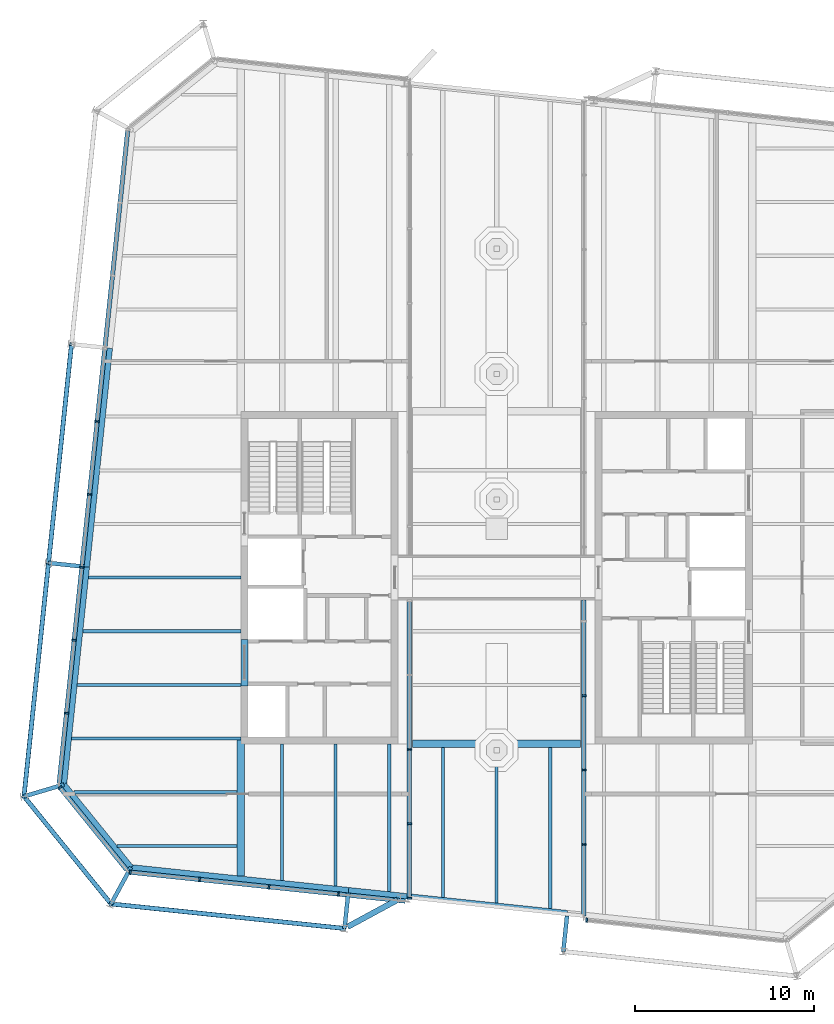
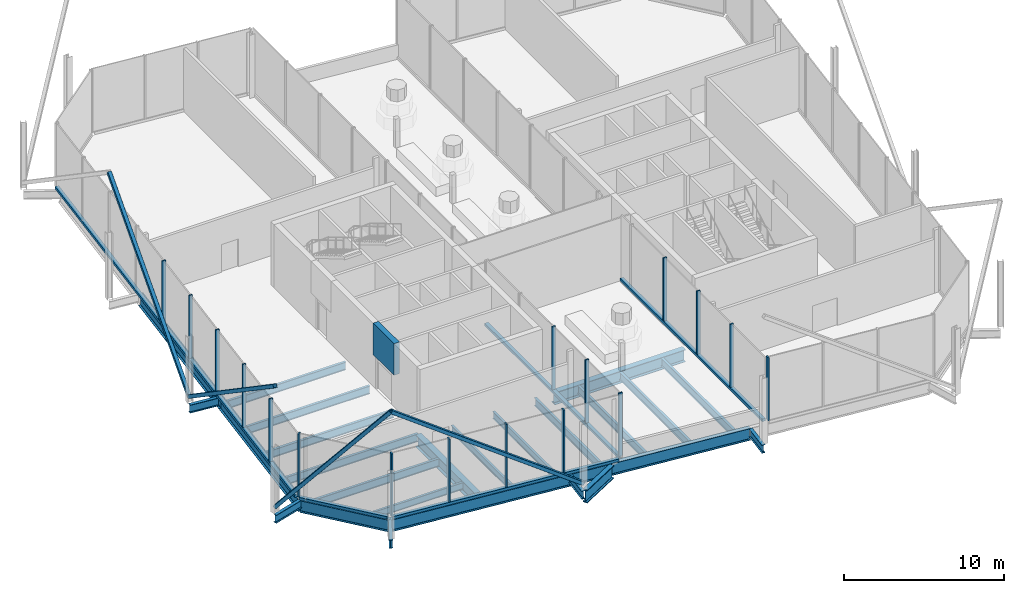
# One storey, part 3 of 14: 26 beams, 26 members, 6 elements without a shape of their own.
"""IFC4 building model written with IfcOpenShell, lengths in metres."""

from ifc_helpers import new_model, si_unit, direction, frame, origin, origin_2d, place, context, subcontext, project, spatial, rectangle, hollow_rectangle, i_section, extrude, material, layer, layer_set, material_profile, profile_set, type_object, element, aggregate, save


model = new_model("IFC4")

# Units and contexts
model_context = context("Model", 3, precision=1e-05, world=origin(), true_north=direction((0.0, 1.0)))
body_context = subcontext(model_context, "Body", "Model", "MODEL_VIEW")
ifc_project = project(units=[si_unit("LENGTHUNIT", "METRE"), si_unit("AREAUNIT", "SQUARE_METRE"), si_unit("VOLUMEUNIT", "CUBIC_METRE"), si_unit("PLANEANGLEUNIT", "RADIAN"), si_unit("MASSUNIT", "GRAM", prefix="KILO")], contexts=[model_context])

# Site, building, storey
site_placement = place(None, origin())
site = spatial("IfcSite", under=ifc_project, at=site_placement, CompositionType="ELEMENT")
building_placement = place(site_placement, origin())
building = spatial("IfcBuilding", under=site, at=building_placement, Name="Millrace Tower", CompositionType="ELEMENT")
storey_placement = place(building_placement, frame((0.0, 0.0, 342.10009765625)))
storey = spatial("IfcBuildingStorey", under=building, at=storey_placement, Name="L79", CompositionType="ELEMENT", Elevation=342.10009765625)

# Curtain wall, members
ifc_material_1 = material(Name="Aluminium and glass", Category="aluminium")
ifc_layer = layer(ifc_material_1, 0.25)
ifc_layer_set = layer_set([ifc_layer], Name="Aluminium and glass")
curtain_wall_type = type_object("IfcCurtainWallType", Name="CW-7 crown louvred enclosure", PredefinedType="NOTDEFINED", material=ifc_layer_set)
placement = place(storey_placement, origin())
curtain_wall_1 = element("IfcCurtainWall", 1, at=placement, inside=storey, type_object=curtain_wall_type, Name="Curtain wall CW-F01 L79", PredefinedType="NOTDEFINED")
ifc_material_2 = material(Name="Aluminium", Category="aluminium")
ifc_material_profile_1 = material_profile(ifc_material_2, rectangle(XDim=0.10009765625, YDim=0.25, at=origin_2d()))
ifc_profile_set_1 = profile_set([ifc_material_profile_1], Name="Aluminium")
member_type_1 = type_object("IfcMemberType", Name="CW-7 crown louvred enclosure mullion", PredefinedType="MULLION", material=ifc_profile_set_1)
member_1_placement = place(storey_placement, frame((-4.875, -17.9287109375, 0.199951171875), z_axis=(0.0, 0.0, 1.0), x_axis=(0.0, 1.0, 0.0)))
member_1 = element("IfcMember", 2, at=member_1_placement, type_object=member_type_1, Name="CW7 mullion CW-F01.1", PredefinedType="MULLION", context=body_context, shape_type="SweptSolid", body=[
    extrude(rectangle(XDim=0.10009765625, YDim=0.25, at=origin_2d()), origin(), (0.0, 0.0, 1.0), 4.800048828125),
])
member_2_placement = place(storey_placement, frame((-4.875, -13.76953125, 0.199951171875), z_axis=(0.0, 0.0, 1.0), x_axis=(0.0, 1.0, 0.0)))
member_2 = element("IfcMember", 3, at=member_2_placement, type_object=member_type_1, Name="CW7 mullion CW-F01.2", PredefinedType="MULLION", context=body_context, shape_type="SweptSolid", body=[
    extrude(rectangle(XDim=0.10009765625, YDim=0.25, at=origin_2d()), origin(), (0.0, 0.0, 1.0), 4.800048828125),
])
member_3_placement = place(storey_placement, frame((-4.875, -9.610595703125, 0.199951171875), z_axis=(0.0, 0.0, 1.0), x_axis=(0.0, 1.0, 0.0)))
member_3 = element("IfcMember", 4, at=member_3_placement, type_object=member_type_1, Name="CW7 mullion CW-F01.3", PredefinedType="MULLION", context=body_context, shape_type="SweptSolid", body=[
    extrude(rectangle(XDim=0.10009765625, YDim=0.25, at=origin_2d()), origin(), (0.0, 0.0, 1.0), 4.800048828125),
])

curtain_wall_2 = element("IfcCurtainWall", 5, at=placement, inside=storey, type_object=curtain_wall_type, Name="Curtain wall CW-F04 L79", PredefinedType="NOTDEFINED")
member_4_placement = place(storey_placement, frame((-22.340576171875, 8.730224609375, 0.199951171875), z_axis=(0.0, 0.0, 1.0), x_axis=(-0.104528455196, -0.994521896217, 0.0)))
member_4 = element("IfcMember", 6, at=member_4_placement, type_object=member_type_1, Name="CW7 mullion CW-F04.5", PredefinedType="MULLION", context=body_context, shape_type="SweptSolid", body=[
    extrude(rectangle(XDim=0.10009765625, YDim=0.25, at=origin_2d()), origin(), (0.0, 0.0, 1.0), 4.800048828125),
])
member_5_placement = place(storey_placement, frame((-22.769287109375, 4.652587890625, 0.199951171875), z_axis=(0.0, 0.0, 1.0), x_axis=(-0.104528455196, -0.994521896217, 0.0)))
member_5 = element("IfcMember", 7, at=member_5_placement, type_object=member_type_1, Name="CW7 mullion CW-F04.6", PredefinedType="MULLION", context=body_context, shape_type="SweptSolid", body=[
    extrude(rectangle(XDim=0.10009765625, YDim=0.25, at=origin_2d()), origin(), (0.0, 0.0, 1.0), 4.800048828125),
])
member_6_placement = place(storey_placement, frame((-23.19775390625, 0.574951171875, 0.199951171875), z_axis=(0.0, 0.0, 1.0), x_axis=(-0.104528455196, -0.994521896217, 0.0)))
member_6 = element("IfcMember", 8, at=member_6_placement, type_object=member_type_1, Name="CW7 mullion CW-F04.7", PredefinedType="MULLION", context=body_context, shape_type="SweptSolid", body=[
    extrude(rectangle(XDim=0.10009765625, YDim=0.25, at=origin_2d()), origin(), (0.0, 0.0, 1.0), 4.800048828125),
])
member_7_placement = place(storey_placement, frame((-23.626220703125, -3.50244140625, 0.199951171875), z_axis=(0.0, 0.0, 1.0), x_axis=(-0.104528455196, -0.994521896217, 0.0)))
member_7 = element("IfcMember", 9, at=member_7_placement, type_object=member_type_1, Name="CW7 mullion CW-F04.8", PredefinedType="MULLION", context=body_context, shape_type="SweptSolid", body=[
    extrude(rectangle(XDim=0.10009765625, YDim=0.25, at=origin_2d()), origin(), (0.0, 0.0, 1.0), 4.800048828125),
])
member_8_placement = place(storey_placement, frame((-24.054931640625, -7.580078125, 0.199951171875), z_axis=(0.0, 0.0, 1.0), x_axis=(-0.104528455196, -0.994521896217, 0.0)))
member_8 = element("IfcMember", 10, at=member_8_placement, type_object=member_type_1, Name="CW7 mullion CW-F04.9", PredefinedType="MULLION", context=body_context, shape_type="SweptSolid", body=[
    extrude(rectangle(XDim=0.10009765625, YDim=0.25, at=origin_2d()), origin(), (0.0, 0.0, 1.0), 4.800048828125),
])

# Curtain wall, member
curtain_wall_3 = element("IfcCurtainWall", 11, at=placement, inside=storey, type_object=curtain_wall_type, Name="Curtain wall CW-F05 L79", PredefinedType="NOTDEFINED")
member_9_placement = place(storey_placement, frame((-24.419677734375, -11.738525390625, 0.199951171875), z_axis=(0.0, 0.0, 1.0), x_axis=(0.629320278945, -0.777146052237, 0.0)))
member_9 = element("IfcMember", 12, at=member_9_placement, type_object=member_type_1, Name="CW7 mullion CW-F05.1", PredefinedType="MULLION", context=body_context, shape_type="SweptSolid", body=[
    extrude(rectangle(XDim=0.10009765625, YDim=0.25, at=origin_2d()), origin(), (0.0, 0.0, 1.0), 4.800048828125),
])

# Curtain wall, members
curtain_wall_4 = element("IfcCurtainWall", 13, at=placement, inside=storey, type_object=curtain_wall_type, Name="Curtain wall CW-F06 L79", PredefinedType="NOTDEFINED")
member_10_placement = place(storey_placement, frame((-20.490234375, -16.476318359375, 0.199951171875), z_axis=(0.0, 0.0, 1.0), x_axis=(0.994521898138, -0.104528436919, 0.0)))
member_10 = element("IfcMember", 14, at=member_10_placement, type_object=member_type_1, Name="CW7 mullion CW-F06.1", PredefinedType="MULLION", context=body_context, shape_type="SweptSolid", body=[
    extrude(rectangle(XDim=0.10009765625, YDim=0.25, at=origin_2d()), origin(), (0.0, 0.0, 1.0), 4.800048828125),
])
member_11_placement = place(storey_placement, frame((-16.608642578125, -16.88427734375, 0.199951171875), z_axis=(0.0, 0.0, 1.0), x_axis=(0.994521898138, -0.104528436919, 0.0)))
member_11 = element("IfcMember", 15, at=member_11_placement, type_object=member_type_1, Name="CW7 mullion CW-F06.2", PredefinedType="MULLION", context=body_context, shape_type="SweptSolid", body=[
    extrude(rectangle(XDim=0.10009765625, YDim=0.25, at=origin_2d()), origin(), (0.0, 0.0, 1.0), 4.800048828125),
])
member_12_placement = place(storey_placement, frame((-12.726806640625, -17.292236328125, 0.199951171875), z_axis=(0.0, 0.0, 1.0), x_axis=(0.994521898138, -0.104528436919, 0.0)))
member_12 = element("IfcMember", 16, at=member_12_placement, type_object=member_type_1, Name="CW7 mullion CW-F06.3", PredefinedType="MULLION", context=body_context, shape_type="SweptSolid", body=[
    extrude(rectangle(XDim=0.10009765625, YDim=0.25, at=origin_2d()), origin(), (0.0, 0.0, 1.0), 4.800048828125),
])
member_13_placement = place(storey_placement, frame((-8.844970703125, -17.700439453125, 0.199951171875), z_axis=(0.0, 0.0, 1.0), x_axis=(0.994521898138, -0.104528436919, 0.0)))
member_13 = element("IfcMember", 17, at=member_13_placement, type_object=member_type_1, Name="CW7 mullion CW-F06.4", PredefinedType="MULLION", context=body_context, shape_type="SweptSolid", body=[
    extrude(rectangle(XDim=0.10009765625, YDim=0.25, at=origin_2d()), origin(), (0.0, 0.0, 1.0), 4.800048828125),
])

curtain_wall_5 = element("IfcCurtainWall", 18, at=placement, inside=storey, type_object=curtain_wall_type, Name="Curtain wall CE-F01 L79", PredefinedType="NOTDEFINED")
member_14_placement = place(storey_placement, frame((4.875, -6.602294921875, 0.199951171875), z_axis=(0.0, 0.0, 1.0), x_axis=(0.0, -1.0, 0.0)))
member_14 = element("IfcMember", 19, at=member_14_placement, type_object=member_type_1, Name="CW7 mullion CE-F01.9", PredefinedType="MULLION", context=body_context, shape_type="SweptSolid", body=[
    extrude(rectangle(XDim=0.10009765625, YDim=0.25, at=origin_2d()), origin(), (0.0, 0.0, 1.0), 4.800048828125),
])
member_15_placement = place(storey_placement, frame((4.875, -10.761474609375, 0.199951171875), z_axis=(0.0, 0.0, 1.0), x_axis=(0.0, -1.0, 0.0)))
member_15 = element("IfcMember", 20, at=member_15_placement, type_object=member_type_1, Name="CW7 mullion CE-F01.10", PredefinedType="MULLION", context=body_context, shape_type="SweptSolid", body=[
    extrude(rectangle(XDim=0.10009765625, YDim=0.25, at=origin_2d()), origin(), (0.0, 0.0, 1.0), 4.800048828125),
])
member_16_placement = place(storey_placement, frame((4.875, -14.920654296875, 0.199951171875), z_axis=(0.0, 0.0, 1.0), x_axis=(0.0, -1.0, 0.0)))
member_16 = element("IfcMember", 21, at=member_16_placement, type_object=member_type_1, Name="CW7 mullion CE-F01.11", PredefinedType="MULLION", context=body_context, shape_type="SweptSolid", body=[
    extrude(rectangle(XDim=0.10009765625, YDim=0.25, at=origin_2d()), origin(), (0.0, 0.0, 1.0), 4.800048828125),
])

# Curtain wall, member
curtain_wall_6 = element("IfcCurtainWall", 22, at=placement, inside=storey, type_object=curtain_wall_type, Name="Curtain wall CE-F02 L79", PredefinedType="NOTDEFINED")
member_17_placement = place(storey_placement, frame((5.03662109375, -19.159423828125, 0.199951171875), z_axis=(0.0, 0.0, 1.0), x_axis=(0.994521900296, -0.104528416385, 0.0)))
member_17 = element("IfcMember", 23, at=member_17_placement, type_object=member_type_1, Name="CW7 mullion CE-F02.1", PredefinedType="MULLION", context=body_context, shape_type="SweptSolid", body=[
    extrude(rectangle(XDim=0.10009765625, YDim=0.25, at=origin_2d()), origin(), (0.0, 0.0, 1.0), 4.800048828125),
])
aggregate(curtain_wall_6, [member_17])

# Member
ifc_material_3 = material(Name="Aluminium", Category="aluminium")
ifc_material_profile_2 = material_profile(ifc_material_3, rectangle(XDim=0.25, YDim=0.199951171875, at=origin_2d()))
ifc_profile_set_2 = profile_set([ifc_material_profile_2], Name="Aluminium")
member_type_2 = type_object("IfcMemberType", Name="CW-7 crown louvred enclosure transom", PredefinedType="USERDEFINED", material=ifc_profile_set_2)
member_18_placement = place(storey_placement, frame((-20.631591796875, 24.990478515625, 0.099853515625), z_axis=(-0.104528607573, -0.994521880201, 0.0), x_axis=(0.994521880201, -0.104528607573, 0.0)))
member_18 = element("IfcMember", 24, at=member_18_placement, type_object=member_type_2, Name="CW7 transom CW-F04.1", ObjectType="TRANSOM", PredefinedType="USERDEFINED", context=body_context, shape_type="SweptSolid", body=[
    extrude(rectangle(XDim=0.25, YDim=0.199951171875, at=origin_2d()), origin(), (0.0, 0.0, 1.0), 36.69970703125),
])

aggregate(curtain_wall_2, [member_4, member_5, member_6, member_7, member_8, member_18])

member_19_placement = place(storey_placement, frame((-24.38818359375, -11.77734375, 0.099853515625), z_axis=(0.629341524136, -0.777128847746, 0.0), x_axis=(0.777128847746, 0.629341524136, 0.0)))
member_19 = element("IfcMember", 25, at=member_19_placement, type_object=member_type_2, Name="CW7 transom CW-F05.1", ObjectType="TRANSOM", PredefinedType="USERDEFINED", context=body_context, shape_type="SweptSolid", body=[
    extrude(rectangle(XDim=0.25, YDim=0.199951171875, at=origin_2d()), origin(), (0.0, 0.0, 1.0), 5.881103515625),
])

aggregate(curtain_wall_3, [member_9, member_19])

member_20_placement = place(storey_placement, frame((-20.440673828125, -16.481689453125, 0.099853515625), z_axis=(0.994523318532, -0.104514921886, 0.0), x_axis=(0.104514921886, 0.994523318532, 0.0)))
member_20 = element("IfcMember", 26, at=member_20_placement, type_object=member_type_2, Name="CW7 transom CW-F06.1", ObjectType="TRANSOM", PredefinedType="USERDEFINED", context=body_context, shape_type="SweptSolid", body=[
    extrude(rectangle(XDim=0.25, YDim=0.199951171875, at=origin_2d()), origin(), (0.0, 0.0, 1.0), 15.41259765625),
])

aggregate(curtain_wall_4, [member_10, member_11, member_12, member_13, member_20])

member_21_placement = place(storey_placement, frame((-4.875, -17.878662109375, 0.099853515625), z_axis=(0.0, 1.0, 0.0), x_axis=(-1.0, 0.0, 0.0)))
member_21 = element("IfcMember", 27, at=member_21_placement, type_object=member_type_2, Name="CW7 transom CW-F01.1", ObjectType="TRANSOM", PredefinedType="USERDEFINED", context=body_context, shape_type="SweptSolid", body=[
    extrude(rectangle(XDim=0.25, YDim=0.199951171875, at=origin_2d()), origin(), (0.0, 0.0, 1.0), 16.638671875),
])

aggregate(curtain_wall_1, [member_1, member_2, member_3, member_21])

member_22_placement = place(storey_placement, frame((4.875, -18.929931640625, 0.099853515625), z_axis=(0.0, 1.0, 0.0), x_axis=(-1.0, 0.0, 0.0)))
member_22 = element("IfcMember", 28, at=member_22_placement, type_object=member_type_2, Name="CW7 transom CE-F01.1", ObjectType="TRANSOM", PredefinedType="USERDEFINED", context=body_context, shape_type="SweptSolid", body=[
    extrude(rectangle(XDim=0.25, YDim=0.199951171875, at=origin_2d()), origin(), (0.0, 0.0, 1.0), 17.68994140625),
])

aggregate(curtain_wall_5, [member_14, member_15, member_16, member_22])

# Beam
ifc_material_4 = material(Name="Concrete C60", Category="concrete")
ifc_material_profile_3 = material_profile(ifc_material_4, rectangle(XDim=0.39990234375, YDim=2.39990234375, at=origin_2d()))
ifc_profile_set_3 = profile_set([ifc_material_profile_3], Name="Concrete C60")
beam_type_1 = type_object("IfcBeamType", Name="Coupling beam 400 x 2400 Concrete C60, 2000 opening", PredefinedType="BEAM", material=ifc_profile_set_3)
beam_1_placement = place(storey_placement, frame((-14.10009765625, -6.050048828125, 3.599853515625), z_axis=(0.0, 1.0, 0.0), x_axis=(-1.0, 0.0, 0.0)))
element("IfcBeam", 29, at=beam_1_placement, inside=storey, type_object=beam_type_1, Name="Coupling beam W L79", PredefinedType="BEAM", context=body_context, shape_type="SweptSolid", body=[
    extrude(rectangle(XDim=0.39990234375, YDim=2.39990234375, at=origin_2d()), origin(), (0.0, 0.0, 1.0), 2.60009765625),
])

# Members
ifc_material_5 = material(Name="Steel ASTM A500 Grade C", Category="steel")
ifc_material_profile_4 = material_profile(ifc_material_5, hollow_rectangle(XDim=0.25390625, YDim=0.25390625, WallThickness=0.009521484375, InnerFilletRadius=0.004638671875, OuterFilletRadius=0.014404296875, at=origin_2d()))
ifc_profile_set_4 = profile_set([ifc_material_profile_4], Name="Steel ASTM A500 Grade C")
member_type_3 = type_object("IfcMemberType", Name="Exoskeleton brace HSS10x10x3/8", PredefinedType="BRACE", material=ifc_profile_set_4)
member_23_placement = place(storey_placement, frame((-26.429443359375, -12.23583984375, 0.39990234375), z_axis=(0.405080517336, -0.500227525444, 0.765298763401), x_axis=(0.777142728993, 0.62932438279, 0.0)))
element("IfcMember", 30, at=member_23_placement, inside=storey, type_object=member_type_3, Name="BRC-CROWN-L79-01", PredefinedType="BRACE", context=body_context, shape_type="SweptSolid", body=[
    extrude(hollow_rectangle(XDim=0.25390625, YDim=0.25390625, WallThickness=0.009521484375, InnerFilletRadius=0.004638671875, OuterFilletRadius=0.014404296875, at=origin_2d()), origin(), (0.0, 0.0, 1.0), 12.021484375),
])
member_24_placement = place(storey_placement, frame((-8.50341796875, -19.62158203125, 0.39990234375), z_axis=(-0.814448569603, 0.085603983054, 0.573886300199), x_axis=(-0.104530865473, -0.994521642883, 0.0)))
element("IfcMember", 31, at=member_24_placement, inside=storey, type_object=member_type_3, Name="BRC-CROWN-L79-02", PredefinedType="BRACE", context=body_context, shape_type="SweptSolid", body=[
    extrude(hollow_rectangle(XDim=0.25390625, YDim=0.25390625, WallThickness=0.009521484375, InnerFilletRadius=0.004638671875, OuterFilletRadius=0.014404296875, at=origin_2d()), origin(), (0.0, 0.0, 1.0), 16.031005859375),
])
member_25_placement = place(storey_placement, frame((-25.057373046875, 0.82080078125, 0.39990234375), z_axis=(0.083716510087, 0.796395621401, 0.598953721211), x_axis=(-0.994520342986, 0.104543232143, 0.0)))
element("IfcMember", 32, at=member_25_placement, inside=storey, type_object=member_type_3, Name="BRC-CROWN-L79-14", PredefinedType="BRACE", context=body_context, shape_type="SweptSolid", body=[
    extrude(hollow_rectangle(XDim=0.25390625, YDim=0.25390625, WallThickness=0.009521484375, InnerFilletRadius=0.004638671875, OuterFilletRadius=0.014404296875, at=origin_2d()), origin(), (0.0, 0.0, 1.0), 15.360107421875),
])
member_26_placement = place(storey_placement, frame((-25.057373046875, 0.82080078125, 0.39990234375), z_axis=(-0.085587803716, -0.814454758492, 0.573879930147), x_axis=(0.994523779096, -0.104510539239, 0.0)))
element("IfcMember", 33, at=member_26_placement, inside=storey, type_object=member_type_3, Name="BRC-CROWN-L79-15", PredefinedType="BRACE", context=body_context, shape_type="SweptSolid", body=[
    extrude(hollow_rectangle(XDim=0.25390625, YDim=0.25390625, WallThickness=0.009521484375, InnerFilletRadius=0.004638671875, OuterFilletRadius=0.014404296875, at=origin_2d()), origin(), (0.0, 0.0, 1.0), 16.03125),
])

# Beams
ifc_material_6 = material(Name="Steel ASTM A992 Grade 50", Category="steel")
ifc_material_profile_5 = material_profile(ifc_material_6, i_section(OverallWidth=0.1650390625, OverallDepth=0.52587890625, WebThickness=0.0087890625, FlangeThickness=0.011474609375, FilletRadius=0.0126953125, at=origin_2d()))
ifc_profile_set_5 = profile_set([ifc_material_profile_5], Name="Steel ASTM A992 Grade 50")
beam_type_2 = type_object("IfcBeamType", Name="Floor beam W21x44", PredefinedType="JOIST", material=ifc_profile_set_5)
beam_2_placement = place(storey_placement, frame((-12.0, -16.93408203125, -0.462890625), z_axis=(0.0, 1.0, 0.0), x_axis=(-1.0, 0.0, 0.0)))
element("IfcBeam", 34, at=beam_2_placement, inside=storey, type_object=beam_type_2, Name="BM-CROWN-L79-S1-S037", PredefinedType="JOIST", context=body_context, shape_type="SweptSolid", body=[
    extrude(i_section(OverallWidth=0.1650390625, OverallDepth=0.52587890625, WebThickness=0.0087890625, FlangeThickness=0.011474609375, FilletRadius=0.0126953125, at=origin_2d()), origin(), (0.0, 0.0, 1.0), 7.634033203125),
])
beam_3_placement = place(storey_placement, frame((-9.0, -17.249267578125, -0.462890625), z_axis=(0.0, 1.0, 0.0), x_axis=(-1.0, 0.0, 0.0)))
element("IfcBeam", 35, at=beam_3_placement, inside=storey, type_object=beam_type_2, Name="BM-CROWN-L79-S1-S039", PredefinedType="JOIST", context=body_context, shape_type="SweptSolid", body=[
    extrude(i_section(OverallWidth=0.1650390625, OverallDepth=0.52587890625, WebThickness=0.0087890625, FlangeThickness=0.011474609375, FilletRadius=0.0126953125, at=origin_2d()), origin(), (0.0, 0.0, 1.0), 7.94921875),
])
beam_4_placement = place(storey_placement, frame((-21.214111328125, -15.0, -0.462890625), z_axis=(1.0, 0.0, 0.0), x_axis=(0.0, 1.0, 0.0)))
element("IfcBeam", 36, at=beam_4_placement, inside=storey, type_object=beam_type_2, Name="BM-CROWN-L79-S1-S002", PredefinedType="JOIST", context=body_context, shape_type="SweptSolid", body=[
    extrude(i_section(OverallWidth=0.1650390625, OverallDepth=0.52587890625, WebThickness=0.0087890625, FlangeThickness=0.011474609375, FilletRadius=0.0126953125, at=origin_2d()), origin(), (0.0, 0.0, 1.0), 6.70458984375),
])
ifc_material_7 = material(Name="Steel ASTM A992 Grade 50", Category="steel")
ifc_material_profile_6 = material_profile(ifc_material_7, i_section(OverallWidth=0.177978515625, OverallDepth=0.599365234375, WebThickness=0.010009765625, FlangeThickness=0.012939453125, FilletRadius=0.012939453125, at=origin_2d()))
ifc_profile_set_6 = profile_set([ifc_material_profile_6], Name="Steel ASTM A992 Grade 50")
beam_type_3 = type_object("IfcBeamType", Name="Floor beam W24x55", PredefinedType="JOIST", material=ifc_profile_set_6)
beam_5_placement = place(storey_placement, frame((-23.76953125, -9.0, -0.499755859375), z_axis=(1.0, 0.0, 0.0), x_axis=(0.0, 1.0, 0.0)))
element("IfcBeam", 37, at=beam_5_placement, inside=storey, type_object=beam_type_3, Name="BM-CROWN-L79-S1-S006", PredefinedType="JOIST", context=body_context, shape_type="SweptSolid", body=[
    extrude(i_section(OverallWidth=0.177978515625, OverallDepth=0.599365234375, WebThickness=0.010009765625, FlangeThickness=0.012939453125, FilletRadius=0.012939453125, at=origin_2d()), origin(), (0.0, 0.0, 1.0), 9.469482421875),
])
beam_6_placement = place(storey_placement, frame((-23.4541015625, -6.0, -0.499755859375), z_axis=(1.0, 0.0, 0.0), x_axis=(0.0, 1.0, 0.0)))
element("IfcBeam", 38, at=beam_6_placement, inside=storey, type_object=beam_type_3, Name="BM-CROWN-L79-S1-S009", PredefinedType="JOIST", context=body_context, shape_type="SweptSolid", body=[
    extrude(i_section(OverallWidth=0.177978515625, OverallDepth=0.599365234375, WebThickness=0.010009765625, FlangeThickness=0.012939453125, FilletRadius=0.012939453125, at=origin_2d()), origin(), (0.0, 0.0, 1.0), 9.154052734375),
])
beam_7_placement = place(storey_placement, frame((-23.138916015625, -3.0, -0.499755859375), z_axis=(1.0, 0.0, 0.0), x_axis=(0.0, 1.0, 0.0)))
element("IfcBeam", 39, at=beam_7_placement, inside=storey, type_object=beam_type_3, Name="BM-CROWN-L79-S1-S012", PredefinedType="JOIST", context=body_context, shape_type="SweptSolid", body=[
    extrude(i_section(OverallWidth=0.177978515625, OverallDepth=0.599365234375, WebThickness=0.010009765625, FlangeThickness=0.012939453125, FilletRadius=0.012939453125, at=origin_2d()), origin(), (0.0, 0.0, 1.0), 8.8388671875),
])
beam_8_placement = place(storey_placement, frame((-22.823486328125, 0.0, -0.499755859375), z_axis=(1.0, 0.0, 0.0), x_axis=(0.0, 1.0, 0.0)))
element("IfcBeam", 40, at=beam_8_placement, inside=storey, type_object=beam_type_3, Name="BM-CROWN-L79-S1-S015", PredefinedType="JOIST", context=body_context, shape_type="SweptSolid", body=[
    extrude(i_section(OverallWidth=0.177978515625, OverallDepth=0.599365234375, WebThickness=0.010009765625, FlangeThickness=0.012939453125, FilletRadius=0.012939453125, at=origin_2d()), origin(), (0.0, 0.0, 1.0), 8.5234375),
])
beam_9_placement = place(storey_placement, frame((-6.0, -17.564697265625, -0.499755859375), z_axis=(0.0, 1.0, 0.0), x_axis=(-1.0, 0.0, 0.0)))
element("IfcBeam", 41, at=beam_9_placement, inside=storey, type_object=beam_type_3, Name="BM-CROWN-L79-S1-S041", PredefinedType="JOIST", context=body_context, shape_type="SweptSolid", body=[
    extrude(i_section(OverallWidth=0.177978515625, OverallDepth=0.599365234375, WebThickness=0.010009765625, FlangeThickness=0.012939453125, FilletRadius=0.012939453125, at=origin_2d()), origin(), (0.0, 0.0, 1.0), 8.2646484375),
])
beam_10_placement = place(storey_placement, frame((-3.0, -17.8798828125, -0.499755859375), z_axis=(0.0, 1.0, 0.0), x_axis=(-1.0, 0.0, 0.0)))
element("IfcBeam", 42, at=beam_10_placement, inside=storey, type_object=beam_type_3, Name="BM-CROWN-L79-S1-S043", PredefinedType="JOIST", context=body_context, shape_type="SweptSolid", body=[
    extrude(i_section(OverallWidth=0.177978515625, OverallDepth=0.599365234375, WebThickness=0.010009765625, FlangeThickness=0.012939453125, FilletRadius=0.012939453125, at=origin_2d()), origin(), (0.0, 0.0, 1.0), 8.370361328125),
])
beam_11_placement = place(storey_placement, frame((0.0, -18.1953125, -0.499755859375), z_axis=(0.0, 1.0, 0.0), x_axis=(-1.0, 0.0, 0.0)))
element("IfcBeam", 43, at=beam_11_placement, inside=storey, type_object=beam_type_3, Name="BM-CROWN-L79-S1-S045", PredefinedType="JOIST", context=body_context, shape_type="SweptSolid", body=[
    extrude(i_section(OverallWidth=0.177978515625, OverallDepth=0.599365234375, WebThickness=0.010009765625, FlangeThickness=0.012939453125, FilletRadius=0.012939453125, at=origin_2d()), origin(), (0.0, 0.0, 1.0), 8.685791015625),
])
beam_12_placement = place(storey_placement, frame((3.0, -18.510498046875, -0.499755859375), z_axis=(0.0, 1.0, 0.0), x_axis=(-1.0, 0.0, 0.0)))
element("IfcBeam", 44, at=beam_12_placement, inside=storey, type_object=beam_type_3, Name="BM-CROWN-L79-S1-S047", PredefinedType="JOIST", context=body_context, shape_type="SweptSolid", body=[
    extrude(i_section(OverallWidth=0.177978515625, OverallDepth=0.599365234375, WebThickness=0.010009765625, FlangeThickness=0.012939453125, FilletRadius=0.012939453125, at=origin_2d()), origin(), (0.0, 0.0, 1.0), 9.0009765625),
])
beam_13_placement = place(storey_placement, frame((-23.635498046875, -12.0, -0.499755859375), z_axis=(1.0, 0.0, 0.0), x_axis=(0.0, 1.0, 0.0)))
element("IfcBeam", 45, at=beam_13_placement, inside=storey, type_object=beam_type_3, Name="BM-CROWN-L79-S1-S004", PredefinedType="JOIST", context=body_context, shape_type="SweptSolid", body=[
    extrude(i_section(OverallWidth=0.177978515625, OverallDepth=0.599365234375, WebThickness=0.010009765625, FlangeThickness=0.012939453125, FilletRadius=0.012939453125, at=origin_2d()), origin(), (0.0, 0.0, 1.0), 9.1259765625),
])
ifc_material_8 = material(Name="Steel ASTM A992 Grade 50", Category="steel")
ifc_material_profile_7 = material_profile(ifc_material_8, i_section(OverallWidth=0.419189453125, OverallDepth=0.927001953125, WebThickness=0.019287109375, FlangeThickness=0.031982421875, FilletRadius=0.024169921875, at=origin_2d()))
ifc_profile_set_7 = profile_set([ifc_material_profile_7], Name="Steel ASTM A992 Grade 50")
beam_type_4 = type_object("IfcBeamType", Name="Girder short span W36x231", PredefinedType="BEAM", material=ifc_profile_set_7)
beam_14_placement = place(storey_placement, frame((-14.300048828125, -16.6923828125, -0.66357421875), z_axis=(0.0, 1.0, 0.0), x_axis=(-1.0, 0.0, 0.0)))
element("IfcBeam", 46, at=beam_14_placement, inside=storey, type_object=beam_type_4, Name="BM-CROWN-L79-S1-G055", PredefinedType="BEAM", context=body_context, shape_type="SweptSolid", body=[
    extrude(i_section(OverallWidth=0.419189453125, OverallDepth=0.927001953125, WebThickness=0.019287109375, FlangeThickness=0.031982421875, FilletRadius=0.024169921875, at=origin_2d()), origin(), (0.0, 0.0, 1.0), 7.600341796875),
])
beam_15_placement = place(storey_placement, frame((-4.699951171875, -9.300048828125, -0.66357421875), z_axis=(1.0, 0.0, 0.0), x_axis=(0.0, 1.0, 0.0)))
element("IfcBeam", 47, at=beam_15_placement, inside=storey, type_object=beam_type_4, Name="BM-CROWN-L79-S1-G059", PredefinedType="BEAM", context=body_context, shape_type="SweptSolid", body=[
    extrude(i_section(OverallWidth=0.419189453125, OverallDepth=0.927001953125, WebThickness=0.019287109375, FlangeThickness=0.031982421875, FilletRadius=0.024169921875, at=origin_2d()), origin(), (0.0, 0.0, 1.0), 9.39990234375),
])
ifc_material_9 = material(Name="Steel ASTM A992 Grade 50", Category="steel")
ifc_material_profile_8 = material_profile(ifc_material_9, i_section(OverallWidth=0.322509765625, OverallDepth=0.9931640625, WebThickness=0.0361328125, FlangeThickness=0.06494140625, FilletRadius=0.01904296875, at=origin_2d()))
ifc_profile_set_8 = profile_set([ifc_material_profile_8], Name="Steel ASTM A992 Grade 50")
beam_type_5 = type_object("IfcBeamType", Name="Girder transfer short span W36x387", PredefinedType="BEAM", material=ifc_profile_set_8)
beam_16_placement = place(storey_placement, frame((-8.330322265625, -19.52783203125, -0.69677734375), z_axis=(0.879381702941, 0.476117444054, 0.0), x_axis=(-0.476117444054, 0.879381702941, 0.0)))
element("IfcBeam", 48, at=beam_16_placement, inside=storey, type_object=beam_type_5, Name="BM-CROWN-L79-SW-GP01", PredefinedType="BEAM", context=body_context, shape_type="SweptSolid", body=[
    extrude(i_section(OverallWidth=0.322509765625, OverallDepth=0.9931640625, WebThickness=0.0361328125, FlangeThickness=0.06494140625, FilletRadius=0.01904296875, at=origin_2d()), origin(), (0.0, 0.0, 1.0), 3.18017578125),
])
ifc_material_10 = material(Name="Steel ASTM A992 Grade 50", Category="steel")
ifc_material_profile_9 = material_profile(ifc_material_10, i_section(OverallWidth=0.23046875, OverallDepth=0.6171875, WebThickness=0.01318359375, FlangeThickness=0.022216796875, FilletRadius=0.012939453125, at=origin_2d()))
ifc_profile_set_9 = profile_set([ifc_material_profile_9], Name="Steel ASTM A992 Grade 50")
beam_type_6 = type_object("IfcBeamType", Name="Link beam W24x94", PredefinedType="BEAM", material=ifc_profile_set_9)
beam_17_placement = place(storey_placement, frame((-24.1943359375, -11.57373046875, -0.5087890625), z_axis=(-0.958815015936, -0.284031275065, 0.0), x_axis=(0.284031275065, -0.958815015936, 0.0)))
element("IfcBeam", 49, at=beam_17_placement, inside=storey, type_object=beam_type_6, Name="LNK-CROWN-L79-S1-01", PredefinedType="BEAM", context=body_context, shape_type="SweptSolid", body=[
    extrude(i_section(OverallWidth=0.23046875, OverallDepth=0.6171875, WebThickness=0.01318359375, FlangeThickness=0.022216796875, FilletRadius=0.012939453125, at=origin_2d()), origin(), (0.0, 0.0, 1.0), 2.3310546875),
])
beam_18_placement = place(storey_placement, frame((-23.068115234375, 0.61181640625, -0.5087890625), z_axis=(-0.994526834051, 0.104481464157, 0.0), x_axis=(-0.104481464157, -0.994526834051, 0.0)))
element("IfcBeam", 50, at=beam_18_placement, inside=storey, type_object=beam_type_6, Name="LNK-CROWN-L79-S1-02", PredefinedType="BEAM", context=body_context, shape_type="SweptSolid", body=[
    extrude(i_section(OverallWidth=0.23046875, OverallDepth=0.6171875, WebThickness=0.01318359375, FlangeThickness=0.022216796875, FilletRadius=0.012939453125, at=origin_2d()), origin(), (0.0, 0.0, 1.0), 2.000244140625),
])
for number, where, z_axis, x_axis, name in (
    (51, (3.938232421875, -18.918212890625, -0.5087890625), (-0.104494148666, -0.99452550138, 0.0), (0.99452550138, -0.104494148666, 0.0), "LNK-CROWN-L79-S1-13"),
    (52, (-8.29443359375, -17.632568359375, -0.5087890625), (-0.104494148666, -0.99452550138, 0.0), (0.99452550138, -0.104494148666, 0.0), "LNK-CROWN-L79-S1-14"),
):
    element("IfcBeam", number, at=place(storey_placement, frame(where, z_axis=z_axis, x_axis=x_axis)), inside=storey, type_object=beam_type_6, Name=name, PredefinedType="BEAM", context=body_context, shape_type="SweptSolid", body=[
        extrude(i_section(OverallWidth=0.23046875, OverallDepth=0.6171875, WebThickness=0.01318359375, FlangeThickness=0.022216796875, FilletRadius=0.012939453125, at=origin_2d()), origin(), (0.0, 0.0, 1.0), 2.0),
    ])
beam_19_placement = place(storey_placement, frame((-20.447509765625, -16.20068359375, -0.5087890625), z_axis=(-0.477163510307, -0.87881453358, 0.0), x_axis=(0.87881453358, -0.477163510307, 0.0)))
element("IfcBeam", 53, at=beam_19_placement, inside=storey, type_object=beam_type_6, Name="LNK-CROWN-L79-S1-15", PredefinedType="BEAM", context=body_context, shape_type="SweptSolid", body=[
    extrude(i_section(OverallWidth=0.23046875, OverallDepth=0.6171875, WebThickness=0.01318359375, FlangeThickness=0.022216796875, FilletRadius=0.012939453125, at=origin_2d()), origin(), (0.0, 0.0, 1.0), 2.3310546875),
])
ifc_material_11 = material(Name="Steel ASTM A992 Grade 50", Category="steel")
ifc_material_profile_10 = material_profile(ifc_material_11, i_section(OverallWidth=0.307373046875, OverallDepth=0.927001953125, WebThickness=0.01953125, FlangeThickness=0.031982421875, FilletRadius=0.01904296875, at=origin_2d()))
ifc_profile_set_10 = profile_set([ifc_material_profile_10], Name="Steel ASTM A992 Grade 50")
beam_type_7 = type_object("IfcBeamType", Name="Ring beam medium span W36x194", PredefinedType="SPANDREL", material=ifc_profile_set_10)
beam_20_placement = place(storey_placement, frame((-24.1943359375, -11.57373046875, -0.66357421875), z_axis=(0.104527955888, 0.994521948696, 0.0), x_axis=(-0.994521948696, 0.104527955888, 0.0)))
element("IfcBeam", 54, at=beam_20_placement, inside=storey, type_object=beam_type_7, Name="RNG-CROWN-L79-S1-01", PredefinedType="SPANDREL", context=body_context, shape_type="SweptSolid", body=[
    extrude(i_section(OverallWidth=0.307373046875, OverallDepth=0.927001953125, WebThickness=0.01953125, FlangeThickness=0.031982421875, FilletRadius=0.01904296875, at=origin_2d()), origin(), (0.0, 0.0, 1.0), 12.236572265625),
])
for number, where, z_axis, x_axis, name in (
    (55, (-22.915283203125, 0.595703125, -0.66357421875), (0.104523600289, 0.994522406476, 0.0), (-0.994522406476, 0.104523600289, 0.0), "RNG-CROWN-L79-S1-02"),
    (56, (3.954345703125, -18.765380859375, -0.66357421875), (-0.994522406476, 0.104523600289, 0.0), (-0.104523600289, -0.994522406476, 0.0), "RNG-CROWN-L79-S1-13"),
):
    element("IfcBeam", number, at=place(storey_placement, frame(where, z_axis=z_axis, x_axis=x_axis)), inside=storey, type_object=beam_type_7, Name=name, PredefinedType="SPANDREL", context=body_context, shape_type="SweptSolid", body=[
        extrude(i_section(OverallWidth=0.307373046875, OverallDepth=0.927001953125, WebThickness=0.01953125, FlangeThickness=0.031982421875, FilletRadius=0.01904296875, at=origin_2d()), origin(), (0.0, 0.0, 1.0), 12.300048828125),
    ])
beam_21_placement = place(storey_placement, frame((-8.2783203125, -17.479736328125, -0.66357421875), z_axis=(-0.994521730693, 0.104530030035, 0.0), x_axis=(-0.104530030035, -0.994521730693, 0.0)))
element("IfcBeam", 57, at=beam_21_placement, inside=storey, type_object=beam_type_7, Name="RNG-CROWN-L79-S1-14", PredefinedType="SPANDREL", context=body_context, shape_type="SweptSolid", body=[
    extrude(i_section(OverallWidth=0.307373046875, OverallDepth=0.927001953125, WebThickness=0.01953125, FlangeThickness=0.031982421875, FilletRadius=0.01904296875, at=origin_2d()), origin(), (0.0, 0.0, 1.0), 12.236328125),
])
ifc_material_12 = material(Name="Steel ASTM A992 Grade 50", Category="steel")
ifc_material_profile_11 = material_profile(ifc_material_12, i_section(OverallWidth=0.307373046875, OverallDepth=0.927001953125, WebThickness=0.01953125, FlangeThickness=0.031982421875, FilletRadius=0.01904296875, at=origin_2d()))
ifc_profile_set_11 = profile_set([ifc_material_profile_11], Name="Steel ASTM A992 Grade 50")
beam_type_8 = type_object("IfcBeamType", Name="Ring beam short span W36x194", PredefinedType="SPANDREL", material=ifc_profile_set_11)
beam_22_placement = place(storey_placement, frame((-20.447509765625, -16.20068359375, -0.66357421875), z_axis=(-0.629319722443, 0.777146502883, 0.0), x_axis=(-0.777146502883, -0.629319722443, 0.0)))
element("IfcBeam", 58, at=beam_22_placement, inside=storey, type_object=beam_type_8, Name="RNG-CROWN-L79-S1-15", PredefinedType="SPANDREL", context=body_context, shape_type="SweptSolid", body=[
    extrude(i_section(OverallWidth=0.307373046875, OverallDepth=0.927001953125, WebThickness=0.01953125, FlangeThickness=0.031982421875, FilletRadius=0.01904296875, at=origin_2d()), origin(), (0.0, 0.0, 1.0), 5.953857421875),
])

save(model, "model.ifc")
